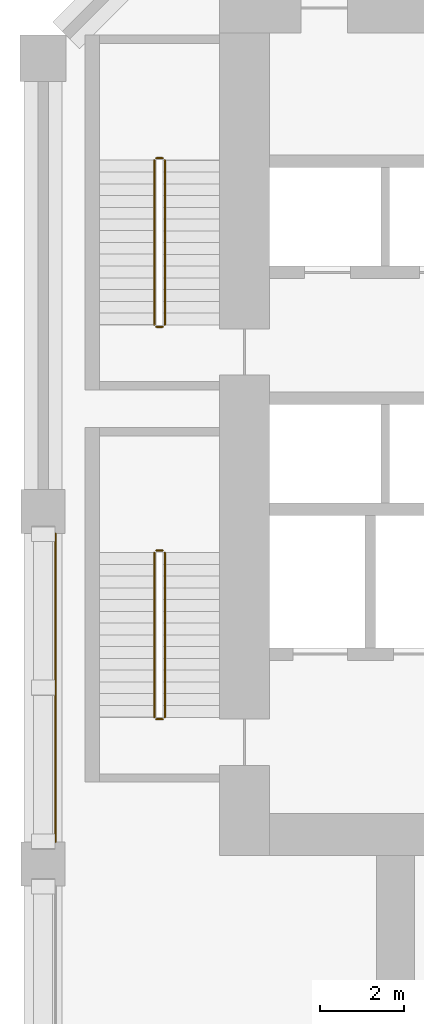
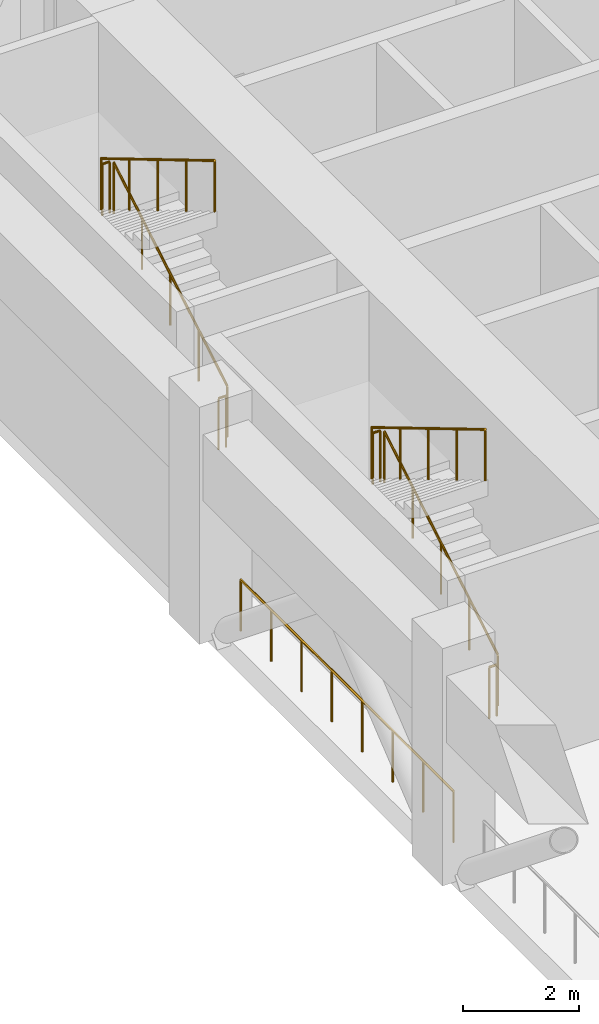
# One storey, part 15 of 19: 9 railings.
"""IFC4 building model written with IfcOpenShell, lengths in metres."""

import ifcopenshell
import ifcopenshell.guid

model = None  # the IFC model being written
_history = None  # IfcOwnerHistory: only IFC2X3 demands one
_inside = {}  # id of a spatial element -> (the spatial element, [elements in it])
_under = {}  # id of a project, library or spatial element -> (it, [spatial elements below it])
_declared = {}  # id of a project -> (the project, [libraries it declares])
_typed = {}  # id of a type object -> (the type object, [elements of that type])
_made_of = {}  # id of a material, layer set ... -> (it, [elements and type objects made of it])


def new_model(schema):
    """Start an empty IFC model of exactly this schema.

    Asked for "IFC4X3", IfcOpenShell would pick the latest addendum, in which some entities
    have other attributes; the version numbers below select the first issue.
    IFC2X3 requires an IfcOwnerHistory on every rooted entity: one is made here for all.
    """
    global model, _history
    if schema == "IFC4X3":
        model = ifcopenshell.file(schema_version=(4, 3, 0, 0))
    else:
        model = ifcopenshell.file(schema=schema)
    _inside.clear()
    _under.clear()
    _declared.clear()
    _typed.clear()
    _made_of.clear()
    _history = None
    if model.schema == "IFC2X3":
        org = make("IfcOrganization", Name="unknown")
        user = make(
            "IfcPersonAndOrganization",
            ThePerson=make("IfcPerson", FamilyName="unknown"),
            TheOrganization=org,
        )
        app = make(
            "IfcApplication",
            ApplicationDeveloper=org,
            Version="unknown",
            ApplicationFullName="unknown",
            ApplicationIdentifier="unknown",
        )
        _history = make(
            "IfcOwnerHistory",
            OwningUser=user,
            OwningApplication=app,
            ChangeAction="ADDED",
            CreationDate=0,
        )
    return model


def make(cls, **values):
    """One entity of the class cls with the attributes given. An attribute that is None is left unset."""
    return model.create_entity(
        cls, **{name: value for name, value in values.items() if value is not None}
    )


def rooted(cls, **values):
    """An entity with a GlobalId (a new one), such as an element, a storey or a relation."""
    return make(cls, GlobalId=ifcopenshell.guid.new(), OwnerHistory=_history, **values)


def si_unit(unit_type, name, prefix=None):
    """IfcSIUnit, for example si_unit("LENGTHUNIT", "METRE", prefix="MILLI")."""
    return make("IfcSIUnit", UnitType=unit_type, Prefix=prefix, Name=name)


def assignment(units):
    """IfcUnitAssignment: the units of a project."""
    return None if units is None else make("IfcUnitAssignment", Units=units)


def point(xyz):
    """IfcCartesianPoint."""
    return None if xyz is None else make("IfcCartesianPoint", Coordinates=xyz)


def direction(xyz):
    """IfcDirection."""
    return None if xyz is None else make("IfcDirection", DirectionRatios=xyz)


def frame(location, z_axis=None, x_axis=None):
    """IfcAxis2Placement3D, a coordinate frame: its origin and axes. An axis left out is left unset."""
    return make(
        "IfcAxis2Placement3D",
        Location=point(location),
        Axis=direction(z_axis),
        RefDirection=direction(x_axis),
    )


def frame_2d(location, x_axis=None):
    """IfcAxis2Placement2D, a coordinate frame in the plane: its origin and x axis."""
    return make(
        "IfcAxis2Placement2D", Location=point(location), RefDirection=direction(x_axis)
    )


def origin():
    """The frame at (0, 0, 0) with its axes left unset."""
    return frame((0.0, 0.0, 0.0))


def origin_2d():
    """The frame at (0, 0) in the plane with its x axis left unset."""
    return frame_2d((0.0, 0.0))


def place(relative_to, where):
    """IfcLocalPlacement: puts the frame where relative to a parent placement (None: the world)."""
    return make(
        "IfcLocalPlacement", PlacementRelTo=relative_to, RelativePlacement=where
    )


def context(
    kind, dimensions, precision=None, world=None, true_north=None, identifier=None
):
    """IfcGeometricRepresentationContext, for example the 3D "Model" context."""
    return make(
        "IfcGeometricRepresentationContext",
        ContextIdentifier=identifier,
        ContextType=kind,
        CoordinateSpaceDimension=dimensions,
        Precision=precision,
        WorldCoordinateSystem=world,
        TrueNorth=true_north,
    )


def subcontext(parent, identifier, kind, view, scale=None):
    """IfcGeometricRepresentationSubContext, for example "Body" below "Model"."""
    return make(
        "IfcGeometricRepresentationSubContext",
        ContextIdentifier=identifier,
        ContextType=kind,
        ParentContext=parent,
        TargetScale=scale,
        TargetView=view,
    )


def project(units=None, contexts=None):
    """IfcProject with its units and contexts."""
    return rooted(
        "IfcProject",
        Name="project",
        RepresentationContexts=contexts,
        UnitsInContext=assignment(units),
    )


def spatial(cls, under=None, at=None, **own):
    """A site, building, storey or space (cls), placed at a placement, below another one or the project."""
    s = rooted(cls, ObjectPlacement=at, **own)
    if under is not None:
        _under.setdefault(under.id(), (under, []))[1].append(s)
    return s


def profile(cls, at=None, kind="AREA", **sizes):
    """A parametric profile (cls). Its sizes go by their IFC names, for example OverallWidth=200.0."""
    return make(cls, ProfileType=kind, Position=at, **sizes)


def circle(**sizes):
    """IfcCircleProfileDef."""
    return profile("IfcCircleProfileDef", **sizes)


def extrude(swept, where, along, depth):
    """IfcExtrudedAreaSolid: the profile swept, set in the frame where, extruded along a direction by depth."""
    return make(
        "IfcExtrudedAreaSolid",
        SweptArea=swept,
        Position=where,
        ExtrudedDirection=direction(along),
        Depth=depth,
    )


def shape(context_of_items, identifier, shape_type, items):
    """IfcShapeRepresentation: the items that make up one representation, for example the "Body"."""
    return make(
        "IfcShapeRepresentation",
        ContextOfItems=context_of_items,
        RepresentationIdentifier=identifier,
        RepresentationType=shape_type,
        Items=items,
    )


def material(Name=None, Category=None):
    """IfcMaterial."""
    return make("IfcMaterial", Name=Name, Category=Category)


def made_of(thing, what):
    """Note that an element or type object is made of a material, layer set ...; save() writes the relation."""
    if what is not None:
        _made_of.setdefault(what.id(), (what, []))[1].append(thing)
    return thing


def type_object(cls, material=None, **own):
    """A type object (cls), such as IfcWallType, which elements share."""
    return made_of(rooted(cls, **own), material)


def element(
    cls,
    number,
    at=None,
    inside=None,
    cuts=None,
    type_object=None,
    material=None,
    context=None,
    identifier="Body",
    shape_type=None,
    held_by="IfcProductDefinitionShape",
    body=None,
    shapes=None,
    **own,
):
    """One element of the class cls, such as IfcWall. Its Tag is "e" and its number.

    at: its placement. inside: the storey or other place that contains it. cuts: it is an
    opening in that element (IfcRelVoidsElement). A single representation is given by context,
    identifier, shape_type and body (its items); several are given by shapes. held_by: the class
    of the entity that holds the representations. save() writes the other relations.
    """
    e = rooted(cls, Tag="e%d" % number, ObjectPlacement=at, **own)
    if body is not None:
        shapes = [shape(context, identifier, shape_type, body)]
    if shapes is not None:
        e.Representation = make(held_by, Representations=shapes)
    if inside is not None:
        _inside.setdefault(inside.id(), (inside, []))[1].append(e)
    if cuts is not None:
        rooted(
            "IfcRelVoidsElement", RelatingBuildingElement=cuts, RelatedOpeningElement=e
        )
    if type_object is not None:
        _typed.setdefault(type_object.id(), (type_object, []))[1].append(e)
    return made_of(e, material)


def aggregate(whole, parts):
    """IfcRelAggregates: a whole, such as a stair, and the parts it consists of."""
    return rooted("IfcRelAggregates", RelatingObject=whole, RelatedObjects=parts)


def save(model, path):
    """Write the relations noted so far, then the file.

    IfcRelAggregates (storeys below a building ...), IfcRelContainedInSpatialStructure (elements
    in a storey), IfcRelDefinesByType, IfcRelAssociatesMaterial and IfcRelDeclares: one each for
    every whole, place, type object, material and project.
    """
    for whole, parts in _under.values():
        aggregate(whole, parts)
    for where, things in _inside.values():
        rooted(
            "IfcRelContainedInSpatialStructure",
            RelatedElements=things,
            RelatingStructure=where,
        )
    for kind, things in _typed.values():
        rooted("IfcRelDefinesByType", RelatedObjects=things, RelatingType=kind)
    for what, things in _made_of.values():
        rooted("IfcRelAssociatesMaterial", RelatedObjects=things, RelatingMaterial=what)
    for by, libraries in _declared.values():
        rooted("IfcRelDeclares", RelatingContext=by, RelatedDefinitions=libraries)
    model.write(path)


model = new_model("IFC4")

# Units and contexts
model_context = context("Model", 3, precision=1e-05, world=origin(), true_north=direction((0.0, 1.0)))
body_context = subcontext(model_context, "Body", "Model", "MODEL_VIEW")
ifc_project = project(units=[si_unit("LENGTHUNIT", "METRE"), si_unit("AREAUNIT", "SQUARE_METRE"), si_unit("VOLUMEUNIT", "CUBIC_METRE"), si_unit("PLANEANGLEUNIT", "RADIAN"), si_unit("MASSUNIT", "GRAM", prefix="KILO")], contexts=[model_context])

# Site, building, storey
site_placement = place(None, origin())
site = spatial("IfcSite", under=ifc_project, at=site_placement, CompositionType="ELEMENT")
building_placement = place(site_placement, origin())
building = spatial("IfcBuilding", under=site, at=building_placement, Name="Kawkab Arch Medical Tower", CompositionType="ELEMENT")
storey_placement = place(building_placement, frame((0.0, 0.0, 93.800048828125)))
storey = spatial("IfcBuildingStorey", under=building, at=storey_placement, Name="L21", CompositionType="ELEMENT", Elevation=93.800048828125)

# Railings
ifc_material_1 = material(Name="Bronze anodised aluminium guard", Category="aluminium")
railing_type_1 = type_object("IfcRailingType", Name="Loggia and terrace guard 1100", PredefinedType="GUARDRAIL", material=ifc_material_1)
railing_1_placement = place(storey_placement, frame((0.300048828125, -17.324951171875, 0.0)))
element("IfcRailing", 1, at=railing_1_placement, inside=storey, type_object=railing_type_1, Name="Band guard L21.R02.2", PredefinedType="GUARDRAIL", context=body_context, shape_type="SweptSolid", body=[
    extrude(circle(Radius=0.02392578125, at=origin_2d()), frame((0.0, 0.0, 1.076171875), z_axis=(0.0, -1.0, 0.0), x_axis=(1.0, 0.0, 0.0)), (0.0, 0.0, 1.0), 7.35009765625),
    extrude(circle(Radius=0.02099609375, at=origin_2d()), origin(), (0.0, 0.0, 1.0), 1.052001953125),
    extrude(circle(Radius=0.02099609375, at=origin_2d()), frame((0.0, -1.050048828125, 0.0)), (0.0, 0.0, 1.0), 1.052001953125),
    extrude(circle(Radius=0.02099609375, at=origin_2d()), frame((0.0, -2.10009765625, 0.0)), (0.0, 0.0, 1.0), 1.052001953125),
    extrude(circle(Radius=0.02099609375, at=origin_2d()), frame((0.0, -3.150146484375, 0.0)), (0.0, 0.0, 1.0), 1.052001953125),
    extrude(circle(Radius=0.02099609375, at=origin_2d()), frame((0.0, -4.199951171875, 0.0)), (0.0, 0.0, 1.0), 1.052001953125),
    extrude(circle(Radius=0.02099609375, at=origin_2d()), frame((0.0, -5.25, 0.0)), (0.0, 0.0, 1.0), 1.052001953125),
    extrude(circle(Radius=0.02099609375, at=origin_2d()), frame((0.0, -6.300048828125, 0.0)), (0.0, 0.0, 1.0), 1.052001953125),
    extrude(circle(Radius=0.02099609375, at=origin_2d()), frame((0.0, -7.35009765625, 0.0)), (0.0, 0.0, 1.0), 1.052001953125),
])
ifc_material_2 = material(Name="Stainless steel", Category="steel")
railing_type_2 = type_object("IfcRailingType", Name="Stair guard 1100", PredefinedType="GUARDRAIL", material=ifc_material_2)
railing_2_placement = place(storey_placement, frame((2.89990234375, -12.35009765625, 0.16650390625)))
element("IfcRailing", 2, at=railing_2_placement, inside=storey, type_object=railing_type_2, Name="L21 ST1 stair guard 1", PredefinedType="GUARDRAIL", context=body_context, shape_type="SweptSolid", body=[
    extrude(circle(Radius=0.02392578125, at=origin_2d()), frame((0.0, 0.0, 1.076171875), z_axis=(0.0, 0.859286724212, 0.511494208758), x_axis=(-1.0, 0.0, 0.0)), (0.0, 0.0, 1.0), 4.56201171875),
    extrude(circle(Radius=0.02099609375, at=origin_2d()), origin(), (0.0, 0.0, 1.0), 1.052001953125),
    extrude(circle(Radius=0.02099609375, at=origin_2d()), frame((0.0, 0.97998046875, 0.58349609375)), (0.0, 0.0, 1.0), 1.052001953125),
    extrude(circle(Radius=0.02099609375, at=origin_2d()), frame((0.0, 1.9599609375, 1.166748046875)), (0.0, 0.0, 1.0), 1.052001953125),
    extrude(circle(Radius=0.02099609375, at=origin_2d()), frame((0.0, 2.940185546875, 1.75)), (0.0, 0.0, 1.0), 1.052001953125),
    extrude(circle(Radius=0.02099609375, at=origin_2d()), frame((0.0, 3.920166015625, 2.33349609375)), (0.0, 0.0, 1.0), 1.052001953125),
])
railing_3_placement = place(storey_placement, frame((2.85009765625, -8.3798828125, 2.5)))
element("IfcRailing", 3, at=railing_3_placement, inside=storey, type_object=railing_type_2, Name="L21 ST1 stair guard 2", PredefinedType="GUARDRAIL", context=body_context, shape_type="SweptSolid", body=[
    extrude(circle(Radius=0.02392578125, at=origin_2d()), frame((0.0, 0.0, 1.076171875), z_axis=(-1.0, 0.0, 0.0), x_axis=(0.0, -1.0, 0.0)), (0.0, 0.0, 1.0), 0.150146484375),
    extrude(circle(Radius=0.02099609375, at=origin_2d()), origin(), (0.0, 0.0, 1.0), 1.052001953125),
    extrude(circle(Radius=0.02099609375, at=origin_2d()), frame((-0.150146484375, 0.0, 0.0)), (0.0, 0.0, 1.0), 1.052001953125),
])
railing_4_placement = place(storey_placement, frame((2.64990234375, -8.429931640625, 2.66650390625)))
element("IfcRailing", 4, at=railing_4_placement, inside=storey, type_object=railing_type_2, Name="L21 ST1 stair guard 3", PredefinedType="GUARDRAIL", context=body_context, shape_type="SweptSolid", body=[
    extrude(circle(Radius=0.02392578125, at=origin_2d()), frame((0.0, 0.0, 1.076171875), z_axis=(0.0, -0.859286724212, 0.511494208758), x_axis=(1.0, 0.0, 0.0)), (0.0, 0.0, 1.0), 4.56201171875),
    extrude(circle(Radius=0.02099609375, at=origin_2d()), origin(), (0.0, 0.0, 1.0), 1.052001953125),
    extrude(circle(Radius=0.02099609375, at=origin_2d()), frame((0.0, -0.97998046875, 0.58349609375)), (0.0, 0.0, 1.0), 1.052001953125),
    extrude(circle(Radius=0.02099609375, at=origin_2d()), frame((0.0, -1.9599609375, 1.166748046875)), (0.0, 0.0, 1.0), 1.052001953125),
    extrude(circle(Radius=0.02099609375, at=origin_2d()), frame((0.0, -2.940185546875, 1.75)), (0.0, 0.0, 1.0), 1.052001953125),
    extrude(circle(Radius=0.02099609375, at=origin_2d()), frame((0.0, -3.920166015625, 2.33349609375)), (0.0, 0.0, 1.0), 1.052001953125),
])
railing_5_placement = place(storey_placement, frame((2.85009765625, -12.39990234375, 0.0)))
element("IfcRailing", 5, at=railing_5_placement, inside=storey, type_object=railing_type_2, Name="L21 ST1 stair guard 4", PredefinedType="GUARDRAIL", context=body_context, shape_type="SweptSolid", body=[
    extrude(circle(Radius=0.02392578125, at=origin_2d()), frame((0.0, 0.0, 1.076171875), z_axis=(-1.0, 0.0, 0.0), x_axis=(0.0, -1.0, 0.0)), (0.0, 0.0, 1.0), 0.150146484375),
    extrude(circle(Radius=0.02099609375, at=origin_2d()), origin(), (0.0, 0.0, 1.0), 1.052001953125),
    extrude(circle(Radius=0.02099609375, at=origin_2d()), frame((-0.150146484375, 0.0, 0.0)), (0.0, 0.0, 1.0), 1.052001953125),
])
railing_6_placement = place(storey_placement, frame((2.89990234375, -21.699951171875, 0.16650390625)))
element("IfcRailing", 6, at=railing_6_placement, inside=storey, type_object=railing_type_2, Name="L21 ST2 stair guard 1", PredefinedType="GUARDRAIL", context=body_context, shape_type="SweptSolid", body=[
    extrude(circle(Radius=0.02392578125, at=origin_2d()), frame((0.0, 0.0, 1.076171875), z_axis=(0.0, 0.859272722373, 0.511517730471), x_axis=(-1.0, 0.0, 0.0)), (0.0, 0.0, 1.0), 4.56201171875),
    extrude(circle(Radius=0.02099609375, at=origin_2d()), origin(), (0.0, 0.0, 1.0), 1.052001953125),
    extrude(circle(Radius=0.02099609375, at=origin_2d()), frame((0.0, 0.97998046875, 0.58349609375)), (0.0, 0.0, 1.0), 1.052001953125),
    extrude(circle(Radius=0.02099609375, at=origin_2d()), frame((0.0, 1.9599609375, 1.166748046875)), (0.0, 0.0, 1.0), 1.052001953125),
    extrude(circle(Radius=0.02099609375, at=origin_2d()), frame((0.0, 2.93994140625, 1.75)), (0.0, 0.0, 1.0), 1.052001953125),
    extrude(circle(Radius=0.02099609375, at=origin_2d()), frame((0.0, 3.919921875, 2.33349609375)), (0.0, 0.0, 1.0), 1.052001953125),
])
railing_7_placement = place(storey_placement, frame((2.85009765625, -17.72998046875, 2.5)))
element("IfcRailing", 7, at=railing_7_placement, inside=storey, type_object=railing_type_2, Name="L21 ST2 stair guard 2", PredefinedType="GUARDRAIL", context=body_context, shape_type="SweptSolid", body=[
    extrude(circle(Radius=0.02392578125, at=origin_2d()), frame((0.0, 0.0, 1.076171875), z_axis=(-1.0, 0.0, 0.0), x_axis=(0.0, -1.0, 0.0)), (0.0, 0.0, 1.0), 0.150146484375),
    extrude(circle(Radius=0.02099609375, at=origin_2d()), origin(), (0.0, 0.0, 1.0), 1.052001953125),
    extrude(circle(Radius=0.02099609375, at=origin_2d()), frame((-0.150146484375, 0.0, 0.0)), (0.0, 0.0, 1.0), 1.052001953125),
])
railing_8_placement = place(storey_placement, frame((2.64990234375, -17.780029296875, 2.66650390625)))
element("IfcRailing", 8, at=railing_8_placement, inside=storey, type_object=railing_type_2, Name="L21 ST2 stair guard 3", PredefinedType="GUARDRAIL", context=body_context, shape_type="SweptSolid", body=[
    extrude(circle(Radius=0.02392578125, at=origin_2d()), frame((0.0, 0.0, 1.076171875), z_axis=(0.0, -0.859272722373, 0.511517730471), x_axis=(1.0, 0.0, 0.0)), (0.0, 0.0, 1.0), 4.56201171875),
    extrude(circle(Radius=0.02099609375, at=origin_2d()), origin(), (0.0, 0.0, 1.0), 1.052001953125),
    extrude(circle(Radius=0.02099609375, at=origin_2d()), frame((0.0, -0.97998046875, 0.58349609375)), (0.0, 0.0, 1.0), 1.052001953125),
    extrude(circle(Radius=0.02099609375, at=origin_2d()), frame((0.0, -1.9599609375, 1.166748046875)), (0.0, 0.0, 1.0), 1.052001953125),
    extrude(circle(Radius=0.02099609375, at=origin_2d()), frame((0.0, -2.93994140625, 1.75)), (0.0, 0.0, 1.0), 1.052001953125),
    extrude(circle(Radius=0.02099609375, at=origin_2d()), frame((0.0, -3.919921875, 2.33349609375)), (0.0, 0.0, 1.0), 1.052001953125),
])
railing_9_placement = place(storey_placement, frame((2.85009765625, -21.75, 0.0)))
element("IfcRailing", 9, at=railing_9_placement, inside=storey, type_object=railing_type_2, Name="L21 ST2 stair guard 4", PredefinedType="GUARDRAIL", context=body_context, shape_type="SweptSolid", body=[
    extrude(circle(Radius=0.02392578125, at=origin_2d()), frame((0.0, 0.0, 1.076171875), z_axis=(-1.0, 0.0, 0.0), x_axis=(0.0, -1.0, 0.0)), (0.0, 0.0, 1.0), 0.150146484375),
    extrude(circle(Radius=0.02099609375, at=origin_2d()), origin(), (0.0, 0.0, 1.0), 1.052001953125),
    extrude(circle(Radius=0.02099609375, at=origin_2d()), frame((-0.150146484375, 0.0, 0.0)), (0.0, 0.0, 1.0), 1.052001953125),
])

save(model, "model.ifc")
